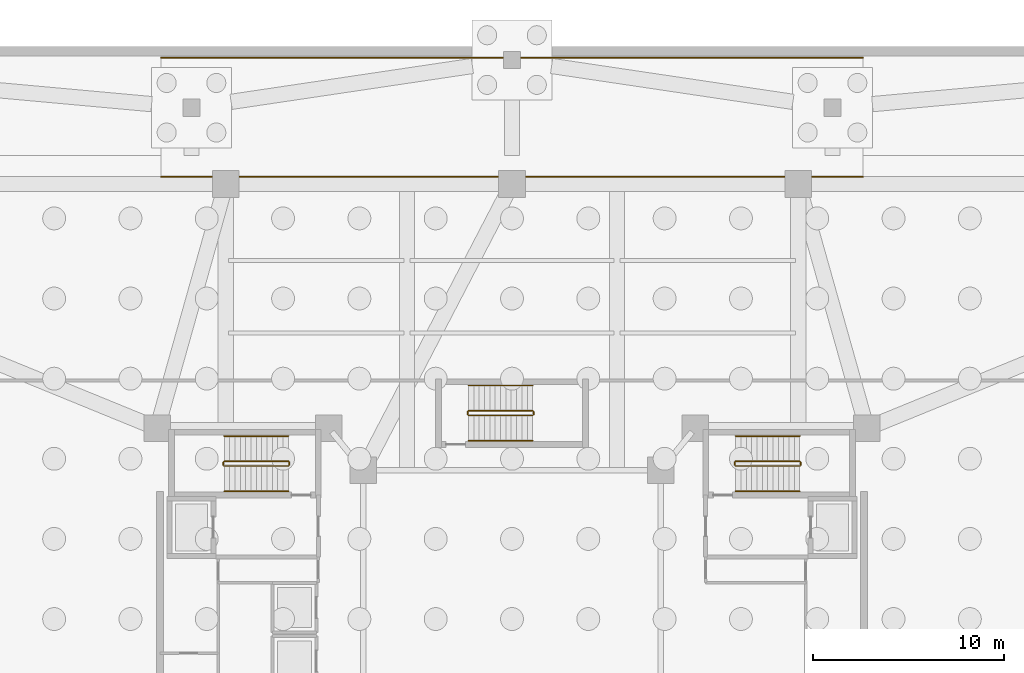
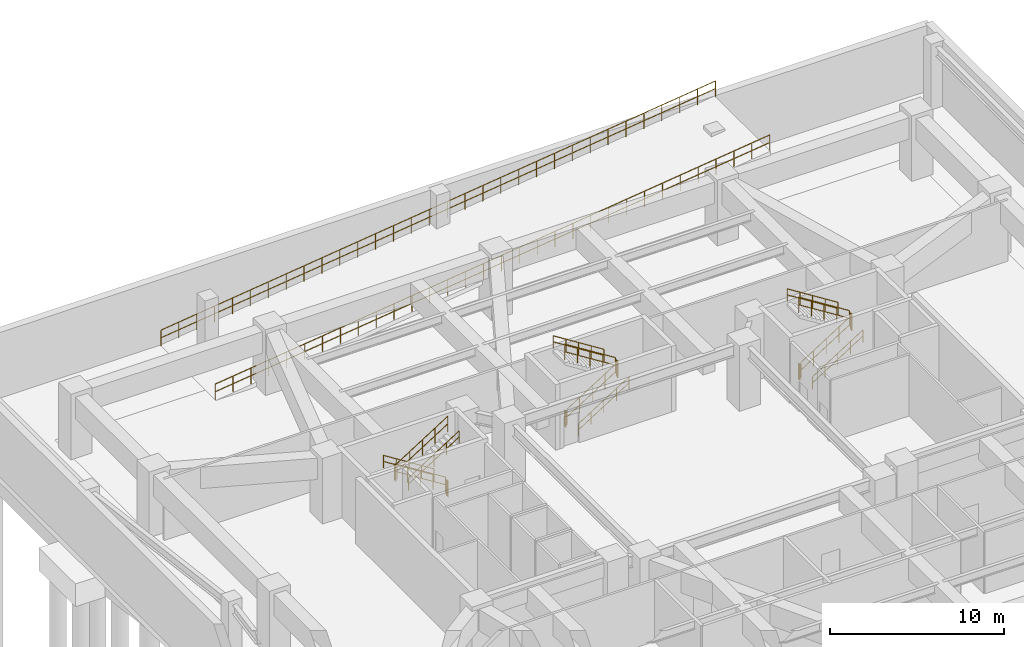
# One storey, part 8 of 9: 20 railings.
"""IFC4 building model written with IfcOpenShell, lengths in metres."""

from ifc_helpers import new_model, si_unit, direction, frame, origin, origin_2d, place, context, subcontext, project, spatial, circle, extrude, material, type_object, element, save


model = new_model("IFC4")

# Units and contexts
model_context = context("Model", 3, precision=1e-05, world=origin(), true_north=direction((0.0, 1.0)))
body_context = subcontext(model_context, "Body", "Model", "MODEL_VIEW")
ifc_project = project(units=[si_unit("LENGTHUNIT", "METRE"), si_unit("AREAUNIT", "SQUARE_METRE"), si_unit("VOLUMEUNIT", "CUBIC_METRE"), si_unit("PLANEANGLEUNIT", "RADIAN"), si_unit("MASSUNIT", "GRAM", prefix="KILO")], contexts=[model_context])

# Site, building, storey
site_placement = place(None, origin())
site = spatial("IfcSite", under=ifc_project, at=site_placement, CompositionType="ELEMENT")
building_placement = place(site_placement, origin())
building = spatial("IfcBuilding", under=site, at=building_placement, Name="Tarnavaz Court Tower", CompositionType="ELEMENT")
storey_placement = place(building_placement, frame((0.0, 0.0, -9.199951171875)))
storey = spatial("IfcBuildingStorey", under=building, at=storey_placement, Name="B02", CompositionType="ELEMENT", Elevation=-9.199951171875)

# Railings
ifc_material_1 = material(Name="Brushed Stainless Steel", Category="steel")
railing_type_1 = type_object("IfcRailingType", Name="RL-HANDRAIL-900", PredefinedType="HANDRAIL", material=ifc_material_1)
railing_1_placement = place(storey_placement, frame((-11.719970703125, 9.590087890625, 0.1767578125)))
element("IfcRailing", 1, at=railing_1_placement, inside=storey, type_object=railing_type_1, Name="B02 ST-W1 stair handrail 1", PredefinedType="HANDRAIL", context=body_context, shape_type="SweptSolid", body=[
    extrude(circle(Radius=0.02392578125, at=origin_2d()), frame((0.0, 0.0, 0.8759765625), z_axis=(-0.845361898145, 0.0, 0.534194029511), x_axis=(0.0, -1.0, 0.0)), (0.0, 0.0, 1.0), 3.974853515625),
    extrude(circle(Radius=0.02392578125, at=origin_2d()), frame((0.0, 0.0, 0.449951171875), z_axis=(-0.845361898145, 0.0, 0.534194029511), x_axis=(0.0, -1.0, 0.0)), (0.0, 0.0, 1.0), 3.974853515625),
    extrude(circle(Radius=0.02099609375, at=origin_2d()), origin(), (0.0, 0.0, 1.0), 0.851806640625),
    extrude(circle(Radius=0.02099609375, at=origin_2d()), frame((-0.840087890625, 0.0, 0.53076171875)), (0.0, 0.0, 1.0), 0.851806640625),
    extrude(circle(Radius=0.02099609375, at=origin_2d()), frame((-1.68017578125, 0.0, 1.0615234375)), (0.0, 0.0, 1.0), 0.851806640625),
    extrude(circle(Radius=0.02099609375, at=origin_2d()), frame((-2.52001953125, 0.0, 1.592529296875)), (0.0, 0.0, 1.0), 0.851806640625),
    extrude(circle(Radius=0.02099609375, at=origin_2d()), frame((-3.360107421875, 0.0, 2.123291015625)), (0.0, 0.0, 1.0), 0.851806640625),
])
railing_2_placement = place(storey_placement, frame((-15.080078125, 6.699951171875, 2.476806640625)))
element("IfcRailing", 2, at=railing_2_placement, inside=storey, type_object=railing_type_1, Name="B02 ST-W1 stair handrail 2", PredefinedType="HANDRAIL", context=body_context, shape_type="SweptSolid", body=[
    extrude(circle(Radius=0.02392578125, at=origin_2d()), frame((0.0, 0.0, 0.8759765625), z_axis=(0.845389635667, 0.0, 0.534150132366), x_axis=(0.0, 1.0, 0.0)), (0.0, 0.0, 1.0), 3.974609375),
    extrude(circle(Radius=0.02392578125, at=origin_2d()), frame((0.0, 0.0, 0.449951171875), z_axis=(0.845389635667, 0.0, 0.534150132366), x_axis=(0.0, 1.0, 0.0)), (0.0, 0.0, 1.0), 3.974609375),
    extrude(circle(Radius=0.02099609375, at=origin_2d()), origin(), (0.0, 0.0, 1.0), 0.851806640625),
    extrude(circle(Radius=0.02099609375, at=origin_2d()), frame((0.840087890625, 0.0, 0.53076171875)), (0.0, 0.0, 1.0), 0.851806640625),
    extrude(circle(Radius=0.02099609375, at=origin_2d()), frame((1.68017578125, 0.0, 1.0615234375)), (0.0, 0.0, 1.0), 0.851806640625),
    extrude(circle(Radius=0.02099609375, at=origin_2d()), frame((2.52001953125, 0.0, 1.59228515625)), (0.0, 0.0, 1.0), 0.851806640625),
    extrude(circle(Radius=0.02099609375, at=origin_2d()), frame((3.360107421875, 0.0, 2.123046875)), (0.0, 0.0, 1.0), 0.851806640625),
])
railing_3_placement = place(storey_placement, frame((11.719970703125, 6.699951171875, 0.1767578125)))
element("IfcRailing", 3, at=railing_3_placement, inside=storey, type_object=railing_type_1, Name="B02 ST-E1 stair handrail 1", PredefinedType="HANDRAIL", context=body_context, shape_type="SweptSolid", body=[
    extrude(circle(Radius=0.02392578125, at=origin_2d()), frame((0.0, 0.0, 0.8759765625), z_axis=(0.845361898145, 0.0, 0.534194029511), x_axis=(0.0, 1.0, 0.0)), (0.0, 0.0, 1.0), 3.974853515625),
    extrude(circle(Radius=0.02392578125, at=origin_2d()), frame((0.0, 0.0, 0.449951171875), z_axis=(0.845361898145, 0.0, 0.534194029511), x_axis=(0.0, 1.0, 0.0)), (0.0, 0.0, 1.0), 3.974853515625),
    extrude(circle(Radius=0.02099609375, at=origin_2d()), origin(), (0.0, 0.0, 1.0), 0.851806640625),
    extrude(circle(Radius=0.02099609375, at=origin_2d()), frame((0.840087890625, 0.0, 0.53076171875)), (0.0, 0.0, 1.0), 0.851806640625),
    extrude(circle(Radius=0.02099609375, at=origin_2d()), frame((1.68017578125, 0.0, 1.0615234375)), (0.0, 0.0, 1.0), 0.851806640625),
    extrude(circle(Radius=0.02099609375, at=origin_2d()), frame((2.52001953125, 0.0, 1.592529296875)), (0.0, 0.0, 1.0), 0.851806640625),
    extrude(circle(Radius=0.02099609375, at=origin_2d()), frame((3.360107421875, 0.0, 2.123291015625)), (0.0, 0.0, 1.0), 0.851806640625),
])
railing_4_placement = place(storey_placement, frame((15.080078125, 9.590087890625, 2.476806640625)))
element("IfcRailing", 4, at=railing_4_placement, inside=storey, type_object=railing_type_1, Name="B02 ST-E1 stair handrail 2", PredefinedType="HANDRAIL", context=body_context, shape_type="SweptSolid", body=[
    extrude(circle(Radius=0.02392578125, at=origin_2d()), frame((0.0, 0.0, 0.8759765625), z_axis=(-0.845389635667, 0.0, 0.534150132366), x_axis=(0.0, -1.0, 0.0)), (0.0, 0.0, 1.0), 3.974609375),
    extrude(circle(Radius=0.02392578125, at=origin_2d()), frame((0.0, 0.0, 0.449951171875), z_axis=(-0.845389635667, 0.0, 0.534150132366), x_axis=(0.0, -1.0, 0.0)), (0.0, 0.0, 1.0), 3.974609375),
    extrude(circle(Radius=0.02099609375, at=origin_2d()), origin(), (0.0, 0.0, 1.0), 0.851806640625),
    extrude(circle(Radius=0.02099609375, at=origin_2d()), frame((-0.840087890625, 0.0, 0.53076171875)), (0.0, 0.0, 1.0), 0.851806640625),
    extrude(circle(Radius=0.02099609375, at=origin_2d()), frame((-1.68017578125, 0.0, 1.0615234375)), (0.0, 0.0, 1.0), 0.851806640625),
    extrude(circle(Radius=0.02099609375, at=origin_2d()), frame((-2.52001953125, 0.0, 1.59228515625)), (0.0, 0.0, 1.0), 0.851806640625),
    extrude(circle(Radius=0.02099609375, at=origin_2d()), frame((-3.360107421875, 0.0, 2.123046875)), (0.0, 0.0, 1.0), 0.851806640625),
])
railing_5_placement = place(storey_placement, frame((-2.280029296875, 9.35009765625, 0.1767578125)))
element("IfcRailing", 5, at=railing_5_placement, inside=storey, type_object=railing_type_1, Name="B02 ST-N1 stair handrail 1", PredefinedType="HANDRAIL", context=body_context, shape_type="SweptSolid", body=[
    extrude(circle(Radius=0.02392578125, at=origin_2d()), frame((0.0, 0.0, 0.8759765625), z_axis=(0.845361898145, 0.0, 0.534194029511), x_axis=(0.0, 1.0, 0.0)), (0.0, 0.0, 1.0), 3.974853515625),
    extrude(circle(Radius=0.02392578125, at=origin_2d()), frame((0.0, 0.0, 0.449951171875), z_axis=(0.845361898145, 0.0, 0.534194029511), x_axis=(0.0, 1.0, 0.0)), (0.0, 0.0, 1.0), 3.974853515625),
    extrude(circle(Radius=0.02099609375, at=origin_2d()), origin(), (0.0, 0.0, 1.0), 0.851806640625),
    extrude(circle(Radius=0.02099609375, at=origin_2d()), frame((0.840087890625, 0.0, 0.53076171875)), (0.0, 0.0, 1.0), 0.851806640625),
    extrude(circle(Radius=0.02099609375, at=origin_2d()), frame((1.68017578125, 0.0, 1.0615234375)), (0.0, 0.0, 1.0), 0.851806640625),
    extrude(circle(Radius=0.02099609375, at=origin_2d()), frame((2.52001953125, 0.0, 1.592529296875)), (0.0, 0.0, 1.0), 0.851806640625),
    extrude(circle(Radius=0.02099609375, at=origin_2d()), frame((3.360107421875, 0.0, 2.123291015625)), (0.0, 0.0, 1.0), 0.851806640625),
])
railing_6_placement = place(storey_placement, frame((1.080078125, 12.239990234375, 2.476806640625)))
element("IfcRailing", 6, at=railing_6_placement, inside=storey, type_object=railing_type_1, Name="B02 ST-N1 stair handrail 2", PredefinedType="HANDRAIL", context=body_context, shape_type="SweptSolid", body=[
    extrude(circle(Radius=0.02392578125, at=origin_2d()), frame((0.0, 0.0, 0.8759765625), z_axis=(-0.845389635667, 0.0, 0.534150132366), x_axis=(0.0, -1.0, 0.0)), (0.0, 0.0, 1.0), 3.974609375),
    extrude(circle(Radius=0.02392578125, at=origin_2d()), frame((0.0, 0.0, 0.449951171875), z_axis=(-0.845389635667, 0.0, 0.534150132366), x_axis=(0.0, -1.0, 0.0)), (0.0, 0.0, 1.0), 3.974609375),
    extrude(circle(Radius=0.02099609375, at=origin_2d()), origin(), (0.0, 0.0, 1.0), 0.851806640625),
    extrude(circle(Radius=0.02099609375, at=origin_2d()), frame((-0.840087890625, 0.0, 0.53076171875)), (0.0, 0.0, 1.0), 0.851806640625),
    extrude(circle(Radius=0.02099609375, at=origin_2d()), frame((-1.68017578125, 0.0, 1.0615234375)), (0.0, 0.0, 1.0), 0.851806640625),
    extrude(circle(Radius=0.02099609375, at=origin_2d()), frame((-2.52001953125, 0.0, 1.59228515625)), (0.0, 0.0, 1.0), 0.851806640625),
    extrude(circle(Radius=0.02099609375, at=origin_2d()), frame((-3.360107421875, 0.0, 2.123046875)), (0.0, 0.0, 1.0), 0.851806640625),
])
ifc_material_2 = material(Name="Galvanized Painted Tubular Steel", Category="steel")
railing_type_2 = type_object("IfcRailingType", Name="RL-STGUARD-1120", PredefinedType="GUARDRAIL", material=ifc_material_2)
railing_7_placement = place(storey_placement, frame((-11.719970703125, 8.27001953125, 0.1767578125)))
element("IfcRailing", 7, at=railing_7_placement, inside=storey, type_object=railing_type_2, Name="B02 ST-W1 stair guard 1", PredefinedType="GUARDRAIL", context=body_context, shape_type="SweptSolid", body=[
    extrude(circle(Radius=0.02392578125, at=origin_2d()), frame((0.0, 0.0, 1.09619140625), z_axis=(-0.845361898145, 0.0, 0.534194029511), x_axis=(0.0, -1.0, 0.0)), (0.0, 0.0, 1.0), 3.974853515625),
    extrude(circle(Radius=0.02392578125, at=origin_2d()), frame((0.0, 0.0, 0.56005859375), z_axis=(-0.845361898145, 0.0, 0.534194029511), x_axis=(0.0, -1.0, 0.0)), (0.0, 0.0, 1.0), 3.974853515625),
    extrude(circle(Radius=0.02099609375, at=origin_2d()), origin(), (0.0, 0.0, 1.0), 1.072021484375),
    extrude(circle(Radius=0.02099609375, at=origin_2d()), frame((-0.840087890625, 0.0, 0.53076171875)), (0.0, 0.0, 1.0), 1.072021484375),
    extrude(circle(Radius=0.02099609375, at=origin_2d()), frame((-1.68017578125, 0.0, 1.0615234375)), (0.0, 0.0, 1.0), 1.072021484375),
    extrude(circle(Radius=0.02099609375, at=origin_2d()), frame((-2.52001953125, 0.0, 1.592529296875)), (0.0, 0.0, 1.0), 1.072021484375),
    extrude(circle(Radius=0.02099609375, at=origin_2d()), frame((-3.360107421875, 0.0, 2.123291015625)), (0.0, 0.0, 1.0), 1.072021484375),
])
railing_8_placement = place(storey_placement, frame((-15.1298828125, 8.219970703125, 2.300048828125)))
element("IfcRailing", 8, at=railing_8_placement, inside=storey, type_object=railing_type_2, Name="B02 ST-W1 stair guard 2", PredefinedType="GUARDRAIL", context=body_context, shape_type="SweptSolid", body=[
    extrude(circle(Radius=0.02392578125, at=origin_2d()), frame((0.0, 0.0, 1.09619140625), z_axis=(0.0, -1.0, 0.0), x_axis=(1.0, 0.0, 0.0)), (0.0, 0.0, 1.0), 0.14990234375),
    extrude(circle(Radius=0.02392578125, at=origin_2d()), frame((0.0, 0.0, 0.56005859375), z_axis=(0.0, -1.0, 0.0), x_axis=(1.0, 0.0, 0.0)), (0.0, 0.0, 1.0), 0.14990234375),
    extrude(circle(Radius=0.02099609375, at=origin_2d()), origin(), (0.0, 0.0, 1.0), 1.072021484375),
    extrude(circle(Radius=0.02099609375, at=origin_2d()), frame((0.0, -0.14990234375, 0.0)), (0.0, 0.0, 1.0), 1.072021484375),
])
railing_9_placement = place(storey_placement, frame((-15.080078125, 8.02001953125, 2.476806640625)))
element("IfcRailing", 9, at=railing_9_placement, inside=storey, type_object=railing_type_2, Name="B02 ST-W1 stair guard 3", PredefinedType="GUARDRAIL", context=body_context, shape_type="SweptSolid", body=[
    extrude(circle(Radius=0.02392578125, at=origin_2d()), frame((0.0, 0.0, 1.09619140625), z_axis=(0.845389635667, 0.0, 0.534150132366), x_axis=(0.0, 1.0, 0.0)), (0.0, 0.0, 1.0), 3.974609375),
    extrude(circle(Radius=0.02392578125, at=origin_2d()), frame((0.0, 0.0, 0.56005859375), z_axis=(0.845389635667, 0.0, 0.534150132366), x_axis=(0.0, 1.0, 0.0)), (0.0, 0.0, 1.0), 3.974609375),
    extrude(circle(Radius=0.02099609375, at=origin_2d()), origin(), (0.0, 0.0, 1.0), 1.072021484375),
    extrude(circle(Radius=0.02099609375, at=origin_2d()), frame((0.840087890625, 0.0, 0.53076171875)), (0.0, 0.0, 1.0), 1.072021484375),
    extrude(circle(Radius=0.02099609375, at=origin_2d()), frame((1.68017578125, 0.0, 1.0615234375)), (0.0, 0.0, 1.0), 1.072021484375),
    extrude(circle(Radius=0.02099609375, at=origin_2d()), frame((2.52001953125, 0.0, 1.59228515625)), (0.0, 0.0, 1.0), 1.072021484375),
    extrude(circle(Radius=0.02099609375, at=origin_2d()), frame((3.360107421875, 0.0, 2.123046875)), (0.0, 0.0, 1.0), 1.072021484375),
])
railing_10_placement = place(storey_placement, frame((-11.669921875, 8.219970703125, 0.0)))
element("IfcRailing", 10, at=railing_10_placement, inside=storey, type_object=railing_type_2, Name="B02 ST-W1 stair guard 4", PredefinedType="GUARDRAIL", context=body_context, shape_type="SweptSolid", body=[
    extrude(circle(Radius=0.02392578125, at=origin_2d()), frame((0.0, 0.0, 1.09619140625), z_axis=(0.0, -1.0, 0.0), x_axis=(1.0, 0.0, 0.0)), (0.0, 0.0, 1.0), 0.14990234375),
    extrude(circle(Radius=0.02392578125, at=origin_2d()), frame((0.0, 0.0, 0.56005859375), z_axis=(0.0, -1.0, 0.0), x_axis=(1.0, 0.0, 0.0)), (0.0, 0.0, 1.0), 0.14990234375),
    extrude(circle(Radius=0.02099609375, at=origin_2d()), origin(), (0.0, 0.0, 1.0), 1.072021484375),
    extrude(circle(Radius=0.02099609375, at=origin_2d()), frame((0.0, -0.14990234375, 0.0)), (0.0, 0.0, 1.0), 1.072021484375),
])
railing_11_placement = place(storey_placement, frame((11.719970703125, 8.02001953125, 0.1767578125)))
element("IfcRailing", 11, at=railing_11_placement, inside=storey, type_object=railing_type_2, Name="B02 ST-E1 stair guard 1", PredefinedType="GUARDRAIL", context=body_context, shape_type="SweptSolid", body=[
    extrude(circle(Radius=0.02392578125, at=origin_2d()), frame((0.0, 0.0, 1.09619140625), z_axis=(0.845361898145, 0.0, 0.534194029511), x_axis=(0.0, 1.0, 0.0)), (0.0, 0.0, 1.0), 3.974853515625),
    extrude(circle(Radius=0.02392578125, at=origin_2d()), frame((0.0, 0.0, 0.56005859375), z_axis=(0.845361898145, 0.0, 0.534194029511), x_axis=(0.0, 1.0, 0.0)), (0.0, 0.0, 1.0), 3.974853515625),
    extrude(circle(Radius=0.02099609375, at=origin_2d()), origin(), (0.0, 0.0, 1.0), 1.072021484375),
    extrude(circle(Radius=0.02099609375, at=origin_2d()), frame((0.840087890625, 0.0, 0.53076171875)), (0.0, 0.0, 1.0), 1.072021484375),
    extrude(circle(Radius=0.02099609375, at=origin_2d()), frame((1.68017578125, 0.0, 1.0615234375)), (0.0, 0.0, 1.0), 1.072021484375),
    extrude(circle(Radius=0.02099609375, at=origin_2d()), frame((2.52001953125, 0.0, 1.592529296875)), (0.0, 0.0, 1.0), 1.072021484375),
    extrude(circle(Radius=0.02099609375, at=origin_2d()), frame((3.360107421875, 0.0, 2.123291015625)), (0.0, 0.0, 1.0), 1.072021484375),
])
railing_12_placement = place(storey_placement, frame((15.1298828125, 8.070068359375, 2.300048828125)))
element("IfcRailing", 12, at=railing_12_placement, inside=storey, type_object=railing_type_2, Name="B02 ST-E1 stair guard 2", PredefinedType="GUARDRAIL", context=body_context, shape_type="SweptSolid", body=[
    extrude(circle(Radius=0.02392578125, at=origin_2d()), frame((0.0, 0.0, 1.09619140625), z_axis=(0.0, 1.0, 0.0), x_axis=(-1.0, 0.0, 0.0)), (0.0, 0.0, 1.0), 0.14990234375),
    extrude(circle(Radius=0.02392578125, at=origin_2d()), frame((0.0, 0.0, 0.56005859375), z_axis=(0.0, 1.0, 0.0), x_axis=(-1.0, 0.0, 0.0)), (0.0, 0.0, 1.0), 0.14990234375),
    extrude(circle(Radius=0.02099609375, at=origin_2d()), origin(), (0.0, 0.0, 1.0), 1.072021484375),
    extrude(circle(Radius=0.02099609375, at=origin_2d()), frame((0.0, 0.14990234375, 0.0)), (0.0, 0.0, 1.0), 1.072021484375),
])
railing_13_placement = place(storey_placement, frame((15.080078125, 8.27001953125, 2.476806640625)))
element("IfcRailing", 13, at=railing_13_placement, inside=storey, type_object=railing_type_2, Name="B02 ST-E1 stair guard 3", PredefinedType="GUARDRAIL", context=body_context, shape_type="SweptSolid", body=[
    extrude(circle(Radius=0.02392578125, at=origin_2d()), frame((0.0, 0.0, 1.09619140625), z_axis=(-0.845389635667, 0.0, 0.534150132366), x_axis=(0.0, -1.0, 0.0)), (0.0, 0.0, 1.0), 3.974609375),
    extrude(circle(Radius=0.02392578125, at=origin_2d()), frame((0.0, 0.0, 0.56005859375), z_axis=(-0.845389635667, 0.0, 0.534150132366), x_axis=(0.0, -1.0, 0.0)), (0.0, 0.0, 1.0), 3.974609375),
    extrude(circle(Radius=0.02099609375, at=origin_2d()), origin(), (0.0, 0.0, 1.0), 1.072021484375),
    extrude(circle(Radius=0.02099609375, at=origin_2d()), frame((-0.840087890625, 0.0, 0.53076171875)), (0.0, 0.0, 1.0), 1.072021484375),
    extrude(circle(Radius=0.02099609375, at=origin_2d()), frame((-1.68017578125, 0.0, 1.0615234375)), (0.0, 0.0, 1.0), 1.072021484375),
    extrude(circle(Radius=0.02099609375, at=origin_2d()), frame((-2.52001953125, 0.0, 1.59228515625)), (0.0, 0.0, 1.0), 1.072021484375),
    extrude(circle(Radius=0.02099609375, at=origin_2d()), frame((-3.360107421875, 0.0, 2.123046875)), (0.0, 0.0, 1.0), 1.072021484375),
])
railing_14_placement = place(storey_placement, frame((11.669921875, 8.070068359375, 0.0)))
element("IfcRailing", 14, at=railing_14_placement, inside=storey, type_object=railing_type_2, Name="B02 ST-E1 stair guard 4", PredefinedType="GUARDRAIL", context=body_context, shape_type="SweptSolid", body=[
    extrude(circle(Radius=0.02392578125, at=origin_2d()), frame((0.0, 0.0, 1.09619140625), z_axis=(0.0, 1.0, 0.0), x_axis=(-1.0, 0.0, 0.0)), (0.0, 0.0, 1.0), 0.14990234375),
    extrude(circle(Radius=0.02392578125, at=origin_2d()), frame((0.0, 0.0, 0.56005859375), z_axis=(0.0, 1.0, 0.0), x_axis=(-1.0, 0.0, 0.0)), (0.0, 0.0, 1.0), 0.14990234375),
    extrude(circle(Radius=0.02099609375, at=origin_2d()), origin(), (0.0, 0.0, 1.0), 1.072021484375),
    extrude(circle(Radius=0.02099609375, at=origin_2d()), frame((0.0, 0.14990234375, 0.0)), (0.0, 0.0, 1.0), 1.072021484375),
])
railing_15_placement = place(storey_placement, frame((-2.280029296875, 10.669921875, 0.1767578125)))
element("IfcRailing", 15, at=railing_15_placement, inside=storey, type_object=railing_type_2, Name="B02 ST-N1 stair guard 1", PredefinedType="GUARDRAIL", context=body_context, shape_type="SweptSolid", body=[
    extrude(circle(Radius=0.02392578125, at=origin_2d()), frame((0.0, 0.0, 1.09619140625), z_axis=(0.845361898145, 0.0, 0.534194029511), x_axis=(0.0, 1.0, 0.0)), (0.0, 0.0, 1.0), 3.974853515625),
    extrude(circle(Radius=0.02392578125, at=origin_2d()), frame((0.0, 0.0, 0.56005859375), z_axis=(0.845361898145, 0.0, 0.534194029511), x_axis=(0.0, 1.0, 0.0)), (0.0, 0.0, 1.0), 3.974853515625),
    extrude(circle(Radius=0.02099609375, at=origin_2d()), origin(), (0.0, 0.0, 1.0), 1.072021484375),
    extrude(circle(Radius=0.02099609375, at=origin_2d()), frame((0.840087890625, 0.0, 0.53076171875)), (0.0, 0.0, 1.0), 1.072021484375),
    extrude(circle(Radius=0.02099609375, at=origin_2d()), frame((1.68017578125, 0.0, 1.0615234375)), (0.0, 0.0, 1.0), 1.072021484375),
    extrude(circle(Radius=0.02099609375, at=origin_2d()), frame((2.52001953125, 0.0, 1.592529296875)), (0.0, 0.0, 1.0), 1.072021484375),
    extrude(circle(Radius=0.02099609375, at=origin_2d()), frame((3.360107421875, 0.0, 2.123291015625)), (0.0, 0.0, 1.0), 1.072021484375),
])
railing_16_placement = place(storey_placement, frame((1.1298828125, 10.719970703125, 2.300048828125)))
element("IfcRailing", 16, at=railing_16_placement, inside=storey, type_object=railing_type_2, Name="B02 ST-N1 stair guard 2", PredefinedType="GUARDRAIL", context=body_context, shape_type="SweptSolid", body=[
    extrude(circle(Radius=0.02392578125, at=origin_2d()), frame((0.0, 0.0, 1.09619140625), z_axis=(0.0, 1.0, 0.0), x_axis=(-1.0, 0.0, 0.0)), (0.0, 0.0, 1.0), 0.150146484375),
    extrude(circle(Radius=0.02392578125, at=origin_2d()), frame((0.0, 0.0, 0.56005859375), z_axis=(0.0, 1.0, 0.0), x_axis=(-1.0, 0.0, 0.0)), (0.0, 0.0, 1.0), 0.150146484375),
    extrude(circle(Radius=0.02099609375, at=origin_2d()), origin(), (0.0, 0.0, 1.0), 1.072021484375),
    extrude(circle(Radius=0.02099609375, at=origin_2d()), frame((0.0, 0.150146484375, 0.0)), (0.0, 0.0, 1.0), 1.072021484375),
])
railing_17_placement = place(storey_placement, frame((1.080078125, 10.919921875, 2.476806640625)))
element("IfcRailing", 17, at=railing_17_placement, inside=storey, type_object=railing_type_2, Name="B02 ST-N1 stair guard 3", PredefinedType="GUARDRAIL", context=body_context, shape_type="SweptSolid", body=[
    extrude(circle(Radius=0.02392578125, at=origin_2d()), frame((0.0, 0.0, 1.09619140625), z_axis=(-0.845389635667, 0.0, 0.534150132366), x_axis=(0.0, -1.0, 0.0)), (0.0, 0.0, 1.0), 3.974609375),
    extrude(circle(Radius=0.02392578125, at=origin_2d()), frame((0.0, 0.0, 0.56005859375), z_axis=(-0.845389635667, 0.0, 0.534150132366), x_axis=(0.0, -1.0, 0.0)), (0.0, 0.0, 1.0), 3.974609375),
    extrude(circle(Radius=0.02099609375, at=origin_2d()), origin(), (0.0, 0.0, 1.0), 1.072021484375),
    extrude(circle(Radius=0.02099609375, at=origin_2d()), frame((-0.840087890625, 0.0, 0.53076171875)), (0.0, 0.0, 1.0), 1.072021484375),
    extrude(circle(Radius=0.02099609375, at=origin_2d()), frame((-1.68017578125, 0.0, 1.0615234375)), (0.0, 0.0, 1.0), 1.072021484375),
    extrude(circle(Radius=0.02099609375, at=origin_2d()), frame((-2.52001953125, 0.0, 1.59228515625)), (0.0, 0.0, 1.0), 1.072021484375),
    extrude(circle(Radius=0.02099609375, at=origin_2d()), frame((-3.360107421875, 0.0, 2.123046875)), (0.0, 0.0, 1.0), 1.072021484375),
])
railing_18_placement = place(storey_placement, frame((-2.330078125, 10.719970703125, 0.0)))
element("IfcRailing", 18, at=railing_18_placement, inside=storey, type_object=railing_type_2, Name="B02 ST-N1 stair guard 4", PredefinedType="GUARDRAIL", context=body_context, shape_type="SweptSolid", body=[
    extrude(circle(Radius=0.02392578125, at=origin_2d()), frame((0.0, 0.0, 1.09619140625), z_axis=(0.0, 1.0, 0.0), x_axis=(-1.0, 0.0, 0.0)), (0.0, 0.0, 1.0), 0.150146484375),
    extrude(circle(Radius=0.02392578125, at=origin_2d()), frame((0.0, 0.0, 0.56005859375), z_axis=(0.0, 1.0, 0.0), x_axis=(-1.0, 0.0, 0.0)), (0.0, 0.0, 1.0), 0.150146484375),
    extrude(circle(Radius=0.02099609375, at=origin_2d()), origin(), (0.0, 0.0, 1.0), 1.072021484375),
    extrude(circle(Radius=0.02099609375, at=origin_2d()), frame((0.0, 0.150146484375, 0.0)), (0.0, 0.0, 1.0), 1.072021484375),
])
railing_19_placement = place(storey_placement, frame((-18.39990234375, 23.179931640625, 0.0)))
element("IfcRailing", 19, at=railing_19_placement, inside=storey, type_object=railing_type_2, Name="B02 Vehicle Ramp R1 S Safety Guardrail", PredefinedType="GUARDRAIL", context=body_context, shape_type="SweptSolid", body=[
    extrude(circle(Radius=0.02392578125, at=origin_2d()), frame((0.0, 0.0, 1.09619140625), z_axis=(0.99227828182, 0.0, 0.124031493696), x_axis=(0.0, 1.0, 0.0)), (0.0, 0.0, 1.0), 37.086181640625),
    extrude(circle(Radius=0.02392578125, at=origin_2d()), frame((0.0, 0.0, 0.56005859375), z_axis=(0.99227828182, 0.0, 0.124031493696), x_axis=(0.0, 1.0, 0.0)), (0.0, 0.0, 1.0), 37.086181640625),
    extrude(circle(Radius=0.02099609375, at=origin_2d()), origin(), (0.0, 0.0, 1.0), 1.072021484375),
    extrude(circle(Radius=0.02099609375, at=origin_2d()), frame((1.18701171875, 0.0, 0.1484375)), (0.0, 0.0, 1.0), 1.072021484375),
    extrude(circle(Radius=0.02099609375, at=origin_2d()), frame((2.374267578125, 0.0, 0.296875)), (0.0, 0.0, 1.0), 1.072021484375),
    extrude(circle(Radius=0.02099609375, at=origin_2d()), frame((3.561279296875, 0.0, 0.445068359375)), (0.0, 0.0, 1.0), 1.072021484375),
    extrude(circle(Radius=0.02099609375, at=origin_2d()), frame((4.748291015625, 0.0, 0.593505859375)), (0.0, 0.0, 1.0), 1.072021484375),
    extrude(circle(Radius=0.02099609375, at=origin_2d()), frame((5.935546875, 0.0, 0.741943359375)), (0.0, 0.0, 1.0), 1.072021484375),
    extrude(circle(Radius=0.02099609375, at=origin_2d()), frame((7.12255859375, 0.0, 0.890380859375)), (0.0, 0.0, 1.0), 1.072021484375),
    extrude(circle(Radius=0.02099609375, at=origin_2d()), frame((8.3095703125, 0.0, 1.03857421875)), (0.0, 0.0, 1.0), 1.072021484375),
    extrude(circle(Radius=0.02099609375, at=origin_2d()), frame((9.496826171875, 0.0, 1.18701171875)), (0.0, 0.0, 1.0), 1.072021484375),
    extrude(circle(Radius=0.02099609375, at=origin_2d()), frame((10.683837890625, 0.0, 1.33544921875)), (0.0, 0.0, 1.0), 1.072021484375),
    extrude(circle(Radius=0.02099609375, at=origin_2d()), frame((11.870849609375, 0.0, 1.48388671875)), (0.0, 0.0, 1.0), 1.072021484375),
    extrude(circle(Radius=0.02099609375, at=origin_2d()), frame((13.05810546875, 0.0, 1.63232421875)), (0.0, 0.0, 1.0), 1.072021484375),
    extrude(circle(Radius=0.02099609375, at=origin_2d()), frame((14.2451171875, 0.0, 1.780517578125)), (0.0, 0.0, 1.0), 1.072021484375),
    extrude(circle(Radius=0.02099609375, at=origin_2d()), frame((15.43212890625, 0.0, 1.928955078125)), (0.0, 0.0, 1.0), 1.072021484375),
    extrude(circle(Radius=0.02099609375, at=origin_2d()), frame((16.619384765625, 0.0, 2.077392578125)), (0.0, 0.0, 1.0), 1.072021484375),
    extrude(circle(Radius=0.02099609375, at=origin_2d()), frame((17.806396484375, 0.0, 2.225830078125)), (0.0, 0.0, 1.0), 1.072021484375),
    extrude(circle(Radius=0.02099609375, at=origin_2d()), frame((18.993408203125, 0.0, 2.3740234375)), (0.0, 0.0, 1.0), 1.072021484375),
    extrude(circle(Radius=0.02099609375, at=origin_2d()), frame((20.180419921875, 0.0, 2.5224609375)), (0.0, 0.0, 1.0), 1.072021484375),
    extrude(circle(Radius=0.02099609375, at=origin_2d()), frame((21.36767578125, 0.0, 2.6708984375)), (0.0, 0.0, 1.0), 1.072021484375),
    extrude(circle(Radius=0.02099609375, at=origin_2d()), frame((22.5546875, 0.0, 2.8193359375)), (0.0, 0.0, 1.0), 1.072021484375),
    extrude(circle(Radius=0.02099609375, at=origin_2d()), frame((23.74169921875, 0.0, 2.967529296875)), (0.0, 0.0, 1.0), 1.072021484375),
    extrude(circle(Radius=0.02099609375, at=origin_2d()), frame((24.928955078125, 0.0, 3.115966796875)), (0.0, 0.0, 1.0), 1.072021484375),
    extrude(circle(Radius=0.02099609375, at=origin_2d()), frame((26.115966796875, 0.0, 3.264404296875)), (0.0, 0.0, 1.0), 1.072021484375),
    extrude(circle(Radius=0.02099609375, at=origin_2d()), frame((27.302978515625, 0.0, 3.412841796875)), (0.0, 0.0, 1.0), 1.072021484375),
    extrude(circle(Radius=0.02099609375, at=origin_2d()), frame((28.490234375, 0.0, 3.561279296875)), (0.0, 0.0, 1.0), 1.072021484375),
    extrude(circle(Radius=0.02099609375, at=origin_2d()), frame((29.67724609375, 0.0, 3.70947265625)), (0.0, 0.0, 1.0), 1.072021484375),
    extrude(circle(Radius=0.02099609375, at=origin_2d()), frame((30.8642578125, 0.0, 3.85791015625)), (0.0, 0.0, 1.0), 1.072021484375),
    extrude(circle(Radius=0.02099609375, at=origin_2d()), frame((32.051513671875, 0.0, 4.00634765625)), (0.0, 0.0, 1.0), 1.072021484375),
    extrude(circle(Radius=0.02099609375, at=origin_2d()), frame((33.238525390625, 0.0, 4.15478515625)), (0.0, 0.0, 1.0), 1.072021484375),
    extrude(circle(Radius=0.02099609375, at=origin_2d()), frame((34.425537109375, 0.0, 4.302978515625)), (0.0, 0.0, 1.0), 1.072021484375),
    extrude(circle(Radius=0.02099609375, at=origin_2d()), frame((35.61279296875, 0.0, 4.451416015625)), (0.0, 0.0, 1.0), 1.072021484375),
    extrude(circle(Radius=0.02099609375, at=origin_2d()), frame((36.7998046875, 0.0, 4.599853515625)), (0.0, 0.0, 1.0), 1.072021484375),
])
railing_20_placement = place(storey_placement, frame((-18.39990234375, 29.419921875, 0.0)))
element("IfcRailing", 20, at=railing_20_placement, inside=storey, type_object=railing_type_2, Name="B02 Vehicle Ramp R1 N Safety Guardrail", PredefinedType="GUARDRAIL", context=body_context, shape_type="SweptSolid", body=[
    extrude(circle(Radius=0.02392578125, at=origin_2d()), frame((0.0, 0.0, 1.09619140625), z_axis=(0.99227828182, 0.0, 0.124031493696), x_axis=(0.0, 1.0, 0.0)), (0.0, 0.0, 1.0), 37.086181640625),
    extrude(circle(Radius=0.02392578125, at=origin_2d()), frame((0.0, 0.0, 0.56005859375), z_axis=(0.99227828182, 0.0, 0.124031493696), x_axis=(0.0, 1.0, 0.0)), (0.0, 0.0, 1.0), 37.086181640625),
    extrude(circle(Radius=0.02099609375, at=origin_2d()), origin(), (0.0, 0.0, 1.0), 1.072021484375),
    extrude(circle(Radius=0.02099609375, at=origin_2d()), frame((1.18701171875, 0.0, 0.1484375)), (0.0, 0.0, 1.0), 1.072021484375),
    extrude(circle(Radius=0.02099609375, at=origin_2d()), frame((2.374267578125, 0.0, 0.296875)), (0.0, 0.0, 1.0), 1.072021484375),
    extrude(circle(Radius=0.02099609375, at=origin_2d()), frame((3.561279296875, 0.0, 0.445068359375)), (0.0, 0.0, 1.0), 1.072021484375),
    extrude(circle(Radius=0.02099609375, at=origin_2d()), frame((4.748291015625, 0.0, 0.593505859375)), (0.0, 0.0, 1.0), 1.072021484375),
    extrude(circle(Radius=0.02099609375, at=origin_2d()), frame((5.935546875, 0.0, 0.741943359375)), (0.0, 0.0, 1.0), 1.072021484375),
    extrude(circle(Radius=0.02099609375, at=origin_2d()), frame((7.12255859375, 0.0, 0.890380859375)), (0.0, 0.0, 1.0), 1.072021484375),
    extrude(circle(Radius=0.02099609375, at=origin_2d()), frame((8.3095703125, 0.0, 1.03857421875)), (0.0, 0.0, 1.0), 1.072021484375),
    extrude(circle(Radius=0.02099609375, at=origin_2d()), frame((9.496826171875, 0.0, 1.18701171875)), (0.0, 0.0, 1.0), 1.072021484375),
    extrude(circle(Radius=0.02099609375, at=origin_2d()), frame((10.683837890625, 0.0, 1.33544921875)), (0.0, 0.0, 1.0), 1.072021484375),
    extrude(circle(Radius=0.02099609375, at=origin_2d()), frame((11.870849609375, 0.0, 1.48388671875)), (0.0, 0.0, 1.0), 1.072021484375),
    extrude(circle(Radius=0.02099609375, at=origin_2d()), frame((13.05810546875, 0.0, 1.63232421875)), (0.0, 0.0, 1.0), 1.072021484375),
    extrude(circle(Radius=0.02099609375, at=origin_2d()), frame((14.2451171875, 0.0, 1.780517578125)), (0.0, 0.0, 1.0), 1.072021484375),
    extrude(circle(Radius=0.02099609375, at=origin_2d()), frame((15.43212890625, 0.0, 1.928955078125)), (0.0, 0.0, 1.0), 1.072021484375),
    extrude(circle(Radius=0.02099609375, at=origin_2d()), frame((16.619384765625, 0.0, 2.077392578125)), (0.0, 0.0, 1.0), 1.072021484375),
    extrude(circle(Radius=0.02099609375, at=origin_2d()), frame((17.806396484375, 0.0, 2.225830078125)), (0.0, 0.0, 1.0), 1.072021484375),
    extrude(circle(Radius=0.02099609375, at=origin_2d()), frame((18.993408203125, 0.0, 2.3740234375)), (0.0, 0.0, 1.0), 1.072021484375),
    extrude(circle(Radius=0.02099609375, at=origin_2d()), frame((20.180419921875, 0.0, 2.5224609375)), (0.0, 0.0, 1.0), 1.072021484375),
    extrude(circle(Radius=0.02099609375, at=origin_2d()), frame((21.36767578125, 0.0, 2.6708984375)), (0.0, 0.0, 1.0), 1.072021484375),
    extrude(circle(Radius=0.02099609375, at=origin_2d()), frame((22.5546875, 0.0, 2.8193359375)), (0.0, 0.0, 1.0), 1.072021484375),
    extrude(circle(Radius=0.02099609375, at=origin_2d()), frame((23.74169921875, 0.0, 2.967529296875)), (0.0, 0.0, 1.0), 1.072021484375),
    extrude(circle(Radius=0.02099609375, at=origin_2d()), frame((24.928955078125, 0.0, 3.115966796875)), (0.0, 0.0, 1.0), 1.072021484375),
    extrude(circle(Radius=0.02099609375, at=origin_2d()), frame((26.115966796875, 0.0, 3.264404296875)), (0.0, 0.0, 1.0), 1.072021484375),
    extrude(circle(Radius=0.02099609375, at=origin_2d()), frame((27.302978515625, 0.0, 3.412841796875)), (0.0, 0.0, 1.0), 1.072021484375),
    extrude(circle(Radius=0.02099609375, at=origin_2d()), frame((28.490234375, 0.0, 3.561279296875)), (0.0, 0.0, 1.0), 1.072021484375),
    extrude(circle(Radius=0.02099609375, at=origin_2d()), frame((29.67724609375, 0.0, 3.70947265625)), (0.0, 0.0, 1.0), 1.072021484375),
    extrude(circle(Radius=0.02099609375, at=origin_2d()), frame((30.8642578125, 0.0, 3.85791015625)), (0.0, 0.0, 1.0), 1.072021484375),
    extrude(circle(Radius=0.02099609375, at=origin_2d()), frame((32.051513671875, 0.0, 4.00634765625)), (0.0, 0.0, 1.0), 1.072021484375),
    extrude(circle(Radius=0.02099609375, at=origin_2d()), frame((33.238525390625, 0.0, 4.15478515625)), (0.0, 0.0, 1.0), 1.072021484375),
    extrude(circle(Radius=0.02099609375, at=origin_2d()), frame((34.425537109375, 0.0, 4.302978515625)), (0.0, 0.0, 1.0), 1.072021484375),
    extrude(circle(Radius=0.02099609375, at=origin_2d()), frame((35.61279296875, 0.0, 4.451416015625)), (0.0, 0.0, 1.0), 1.072021484375),
    extrude(circle(Radius=0.02099609375, at=origin_2d()), frame((36.7998046875, 0.0, 4.599853515625)), (0.0, 0.0, 1.0), 1.072021484375),
])

save(model, "model.ifc")
